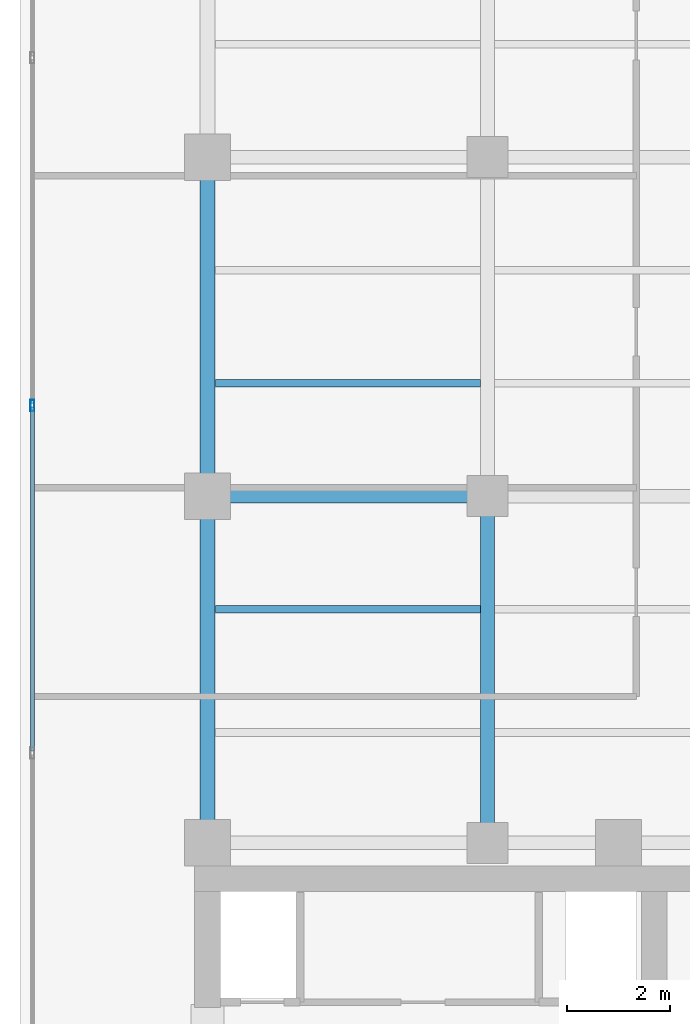
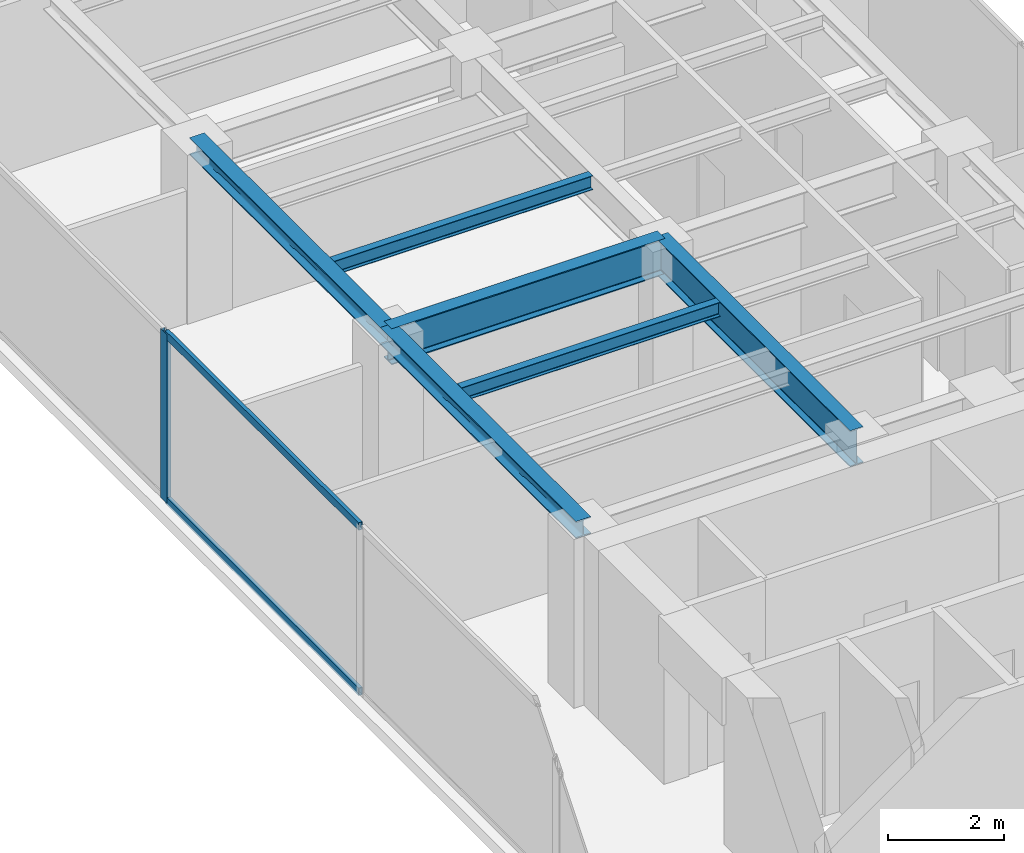
# One storey, part 8 of 22: 6 beams, 3 members, 1 element without a shape of its own.
"""IFC4 building model written with IfcOpenShell, lengths in metres."""

from ifc_helpers import new_model, si_unit, direction, frame, origin, origin_with_axes, origin_2d, place, context, subcontext, project, spatial, hollow_rectangle, i_section, extrude, source, transform, mapped, material, layer, layer_set, material_profile, profile_set, type_object, element, aggregate, save


model = new_model("IFC4")

# Units and contexts
model_context = context("Model", 3, precision=1e-05, world=origin(), true_north=direction((0.0, 1.0)))
body_context = subcontext(model_context, "Body", "Model", "MODEL_VIEW")
ifc_project = project(units=[si_unit("LENGTHUNIT", "METRE"), si_unit("AREAUNIT", "SQUARE_METRE"), si_unit("VOLUMEUNIT", "CUBIC_METRE"), si_unit("PLANEANGLEUNIT", "RADIAN"), si_unit("MASSUNIT", "GRAM", prefix="KILO")], contexts=[model_context])

# Site, building, storey
site_placement = place(None, origin())
site = spatial("IfcSite", under=ifc_project, at=site_placement, CompositionType="ELEMENT")
building_placement = place(site_placement, origin())
building = spatial("IfcBuilding", under=site, at=building_placement, Name="Kolvaren Waterfront Exchange", CompositionType="ELEMENT")
storey_placement = place(building_placement, frame((0.0, 0.0, 262.800048828125)))
storey = spatial("IfcBuildingStorey", under=building, at=storey_placement, Name="L67", CompositionType="ELEMENT", Elevation=262.800048828125)

# Beams
ifc_material_1 = material(Name="Steel S355", Category="steel")
ifc_material_profile_1 = material_profile(ifc_material_1, i_section(OverallWidth=0.300048828125, OverallDepth=0.360107421875, WebThickness=0.012451171875, FlangeThickness=0.0224609375, FilletRadius=0.027099609375, at=origin_2d()), Name="HEB360")
ifc_profile_set_1 = profile_set([ifc_material_profile_1], Name="Steel S355")
beam_type_1 = type_object("IfcBeamType", Name="STR-BM-HEB360", PredefinedType="SPANDREL", material=ifc_profile_set_1)
beam_1_placement = place(storey_placement, frame((7.449951171875, 24.449951171875, 3.3798828125), z_axis=(0.0, 1.0, 0.0), x_axis=(-1.0, 0.0, 0.0)))
element("IfcBeam", 1, at=beam_1_placement, inside=storey, type_object=beam_type_1, Name="L67 north-arm edge beam 1", PredefinedType="SPANDREL", context=body_context, shape_type="SweptSolid", body=[
    extrude(i_section(OverallWidth=0.300048828125, OverallDepth=0.360107421875, WebThickness=0.012451171875, FlangeThickness=0.0224609375, FilletRadius=0.027099609375, at=origin_2d()), origin(), (0.0, 0.0, 1.0), 6.75),
])
beam_2_placement = place(storey_placement, frame((7.449951171875, 31.199951171875, 3.3798828125), z_axis=(0.0, 1.0, 0.0), x_axis=(-1.0, 0.0, 0.0)))
element("IfcBeam", 2, at=beam_2_placement, inside=storey, type_object=beam_type_1, Name="L67 north-arm edge beam 2", PredefinedType="SPANDREL", context=body_context, shape_type="SweptSolid", body=[
    extrude(i_section(OverallWidth=0.300048828125, OverallDepth=0.360107421875, WebThickness=0.012451171875, FlangeThickness=0.0224609375, FilletRadius=0.027099609375, at=origin_2d()), origin(), (0.0, 0.0, 1.0), 6.60009765625),
])
ifc_material_profile_2 = material_profile(ifc_material_1, i_section(OverallWidth=0.14990234375, OverallDepth=0.300048828125, WebThickness=0.007080078125, FlangeThickness=0.0107421875, FilletRadius=0.014892578125, at=origin_2d()), Name="IPE300")
ifc_profile_set_2 = profile_set([ifc_material_profile_2], Name="Steel S355")
beam_type_2 = type_object("IfcBeamType", Name="STR-BM-IPE300", PredefinedType="JOIST", material=ifc_profile_set_2)
for number, where, z_axis, x_axis, name in (
    (3, (7.60205078125, 29.0, 3.409912109375), (1.0, 0.0, 0.0), (0.0, 1.0, 0.0), "L67 north-arm composite joist 2A"),
    (4, (7.60205078125, 33.39990234375, 3.409912109375), (1.0, 0.0, 0.0), (0.0, 1.0, 0.0), "L67 north-arm composite joist 3A"),
):
    element("IfcBeam", number, at=place(storey_placement, frame(where, z_axis=z_axis, x_axis=x_axis)), inside=storey, type_object=beam_type_2, Name=name, PredefinedType="JOIST", context=body_context, shape_type="SweptSolid", body=[
        extrude(i_section(OverallWidth=0.14990234375, OverallDepth=0.300048828125, WebThickness=0.007080078125, FlangeThickness=0.0107421875, FilletRadius=0.014892578125, at=origin_2d()), origin(), (0.0, 0.0, 1.0), 5.162353515625),
    ])
ifc_material_profile_3 = material_profile(ifc_material_1, i_section(OverallWidth=0.26708984375, OverallDepth=0.761962890625, WebThickness=0.014404296875, FlangeThickness=0.021484375, FilletRadius=0.01708984375, at=origin_2d()), Name="IPE750x173")
ifc_profile_set_3 = profile_set([ifc_material_profile_3], Name="Steel S355")
beam_type_3 = type_object("IfcBeamType", Name="STR-BM-IPE750", PredefinedType="BEAM", material=ifc_profile_set_3)
beam_3_placement = place(storey_placement, frame((7.449951171875, 31.199951171875, 3.178955078125), z_axis=(1.0, 0.0, 0.0), x_axis=(0.0, 1.0, 0.0)))
element("IfcBeam", 5, at=beam_3_placement, inside=storey, type_object=beam_type_3, Name="L67 north-arm girder 2A", PredefinedType="BEAM", context=body_context, shape_type="SweptSolid", body=[
    extrude(i_section(OverallWidth=0.26708984375, OverallDepth=0.761962890625, WebThickness=0.014404296875, FlangeThickness=0.021484375, FilletRadius=0.01708984375, at=origin_2d()), origin(), (0.0, 0.0, 1.0), 5.449951171875),
])
beam_4_placement = place(storey_placement, frame((12.89990234375, 24.449951171875, 3.178955078125), z_axis=(0.0, 1.0, 0.0), x_axis=(-1.0, 0.0, 0.0)))
element("IfcBeam", 6, at=beam_4_placement, inside=storey, type_object=beam_type_3, Name="L67 north-arm edge beam 1", PredefinedType="BEAM", context=body_context, shape_type="SweptSolid", body=[
    extrude(i_section(OverallWidth=0.26708984375, OverallDepth=0.761962890625, WebThickness=0.014404296875, FlangeThickness=0.021484375, FilletRadius=0.01708984375, at=origin_2d()), origin(), (0.0, 0.0, 1.0), 6.75),
])

# Curtain wall, members
ifc_material_2 = material(Name="Anodised aluminium 6063-T6", Category="aluminium")
ifc_layer = layer(ifc_material_2, 0.219970703125, Name="Anodised aluminium 6063-T6")
ifc_layer_set = layer_set([ifc_layer], Name="Anodised aluminium 6063-T6")
curtain_wall_type = type_object("IfcCurtainWallType", Name="ARC-CW-SYS2", PredefinedType="USERDEFINED", material=ifc_layer_set)
curtain_wall_placement = place(storey_placement, origin())
curtain_wall = element("IfcCurtainWall", 7, at=curtain_wall_placement, inside=storey, type_object=curtain_wall_type, Name="L67 stick curtain wall CW2 (CW-L67-W)", ObjectType="STICK CURTAIN WALL", PredefinedType="USERDEFINED")
ifc_material_profile_4 = material_profile(ifc_material_2, hollow_rectangle(XDim=0.080078125, YDim=0.219970703125, WallThickness=0.0048828125, at=origin_2d()), Name="ALU-MUL-220x80x5")
ifc_profile_set_4 = profile_set([ifc_material_profile_4], Name="Anodised aluminium 6063-T6")
member_type_1 = type_object("IfcMemberType", Name="ARC-CWM-220", PredefinedType="MULLION", material=ifc_profile_set_4)
shared_shape_1 = source(origin_with_axes(), body_context, "Body", "SweptSolid", [
    extrude(hollow_rectangle(XDim=0.080078125, YDim=0.219970703125, WallThickness=0.0048828125, at=origin_2d()), origin(), (0.0, 0.0, 1.0), 3.56005859375),
])
member_1_placement = place(storey_placement, frame((4.0400390625, 32.966552734375, 0.0), z_axis=(0.0, 0.0, 1.0), x_axis=(-1.0, 0.0, 0.0)))
member_1 = element("IfcMember", 8, at=member_1_placement, type_object=member_type_1, Name="CW2 mullion 5", PredefinedType="MULLION", context=body_context, shape_type="MappedRepresentation", body=[
    mapped(shared_shape_1, transform((0.0, 0.0, 0.0), x_axis=(1.0, 0.0, 0.0), y_axis=(0.0, 1.0, 0.0), z_axis=(0.0, 0.0, 1.0), scale=1.0)),
])
ifc_material_profile_5 = material_profile(ifc_material_2, hollow_rectangle(XDim=0.074951171875, YDim=0.159912109375, WallThickness=0.00439453125, at=origin_2d()), Name="ALU-TRN-160x75x4.5")
ifc_profile_set_5 = profile_set([ifc_material_profile_5], Name="Anodised aluminium 6063-T6")
member_type_2 = type_object("IfcMemberType", Name="ARC-CWT-160", PredefinedType="USERDEFINED", material=ifc_profile_set_5)
shared_shape_2 = source(origin_with_axes(), body_context, "Body", "SweptSolid", [
    extrude(hollow_rectangle(XDim=0.074951171875, YDim=0.159912109375, WallThickness=0.00439453125, at=origin_2d()), origin(), (0.0, 0.0, 1.0), 6.686767578125),
])
member_2_placement = place(storey_placement, frame((4.0400390625, 26.239990234375, 0.037353515625), z_axis=(0.0, 1.0, 0.0), x_axis=(-1.0, 0.0, 0.0)))
member_2 = element("IfcMember", 9, at=member_2_placement, type_object=member_type_2, Name="CW2 transom 4.1", ObjectType="TRANSOM", PredefinedType="USERDEFINED", context=body_context, shape_type="MappedRepresentation", body=[
    mapped(shared_shape_2, transform((0.0, 0.0, 0.0), x_axis=(1.0, 0.0, 0.0), y_axis=(0.0, 1.0, 0.0), z_axis=(0.0, 0.0, 1.0), scale=1.0)),
])
member_3_placement = place(storey_placement, frame((4.0400390625, 26.239990234375, 3.5224609375), z_axis=(0.0, 1.0, 0.0), x_axis=(-1.0, 0.0, 0.0)))
member_3 = element("IfcMember", 10, at=member_3_placement, type_object=member_type_2, Name="CW2 transom 4.2", ObjectType="TRANSOM", PredefinedType="USERDEFINED", context=body_context, shape_type="MappedRepresentation", body=[
    mapped(shared_shape_2, transform((0.0, 0.0, 0.0), x_axis=(1.0, 0.0, 0.0), y_axis=(0.0, 1.0, 0.0), z_axis=(0.0, 0.0, 1.0), scale=1.0)),
])
aggregate(curtain_wall, [member_1, member_2, member_3])

save(model, "model.ifc")
